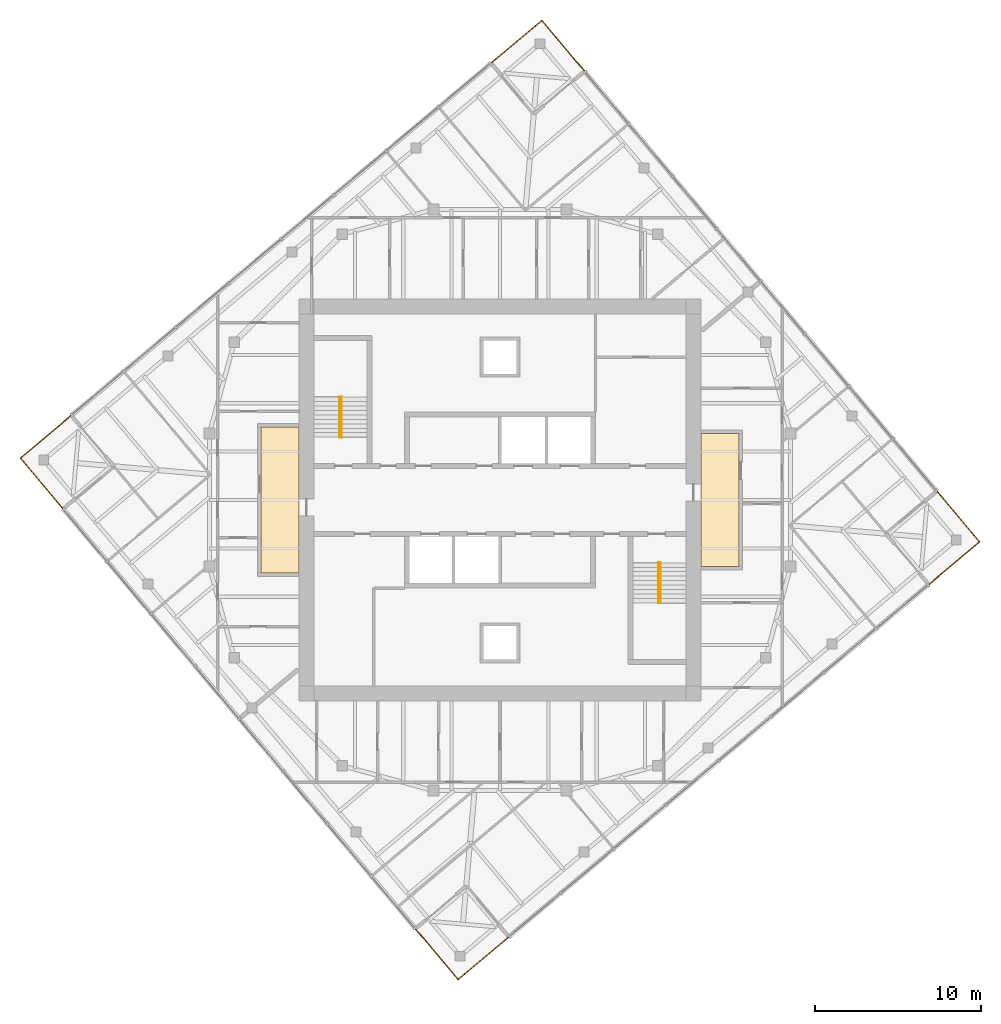
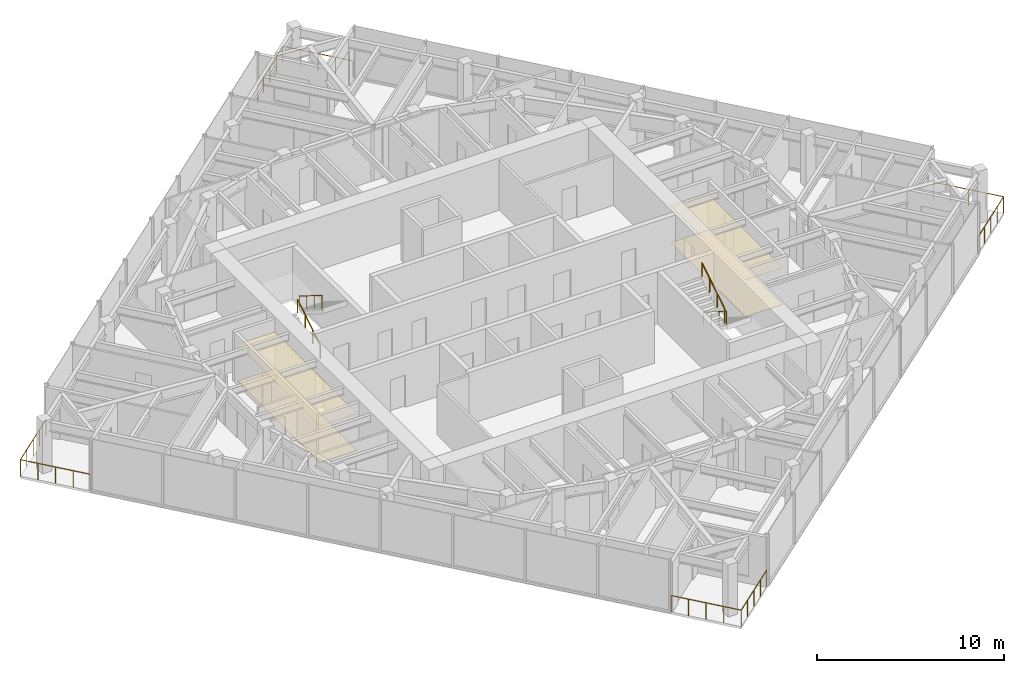
# One storey, part 11 of 11: 8 railings, 4 coverings, 2 elements without a shape of their own.
"""IFC4 building model written with IfcOpenShell, lengths in metres."""

from ifc_helpers import new_model, si_unit, direction, frame, origin, origin_2d, place, context, subcontext, project, spatial, polyline, circle, outline, extrude, material, layer, layer_set, type_object, element, aggregate, save


model = new_model("IFC4")

# Units and contexts
model_context = context("Model", 3, precision=1e-05, world=origin(), true_north=direction((0.0, 1.0)))
body_context = subcontext(model_context, "Body", "Model", "MODEL_VIEW")
ifc_project = project(units=[si_unit("LENGTHUNIT", "METRE"), si_unit("AREAUNIT", "SQUARE_METRE"), si_unit("VOLUMEUNIT", "CUBIC_METRE"), si_unit("PLANEANGLEUNIT", "RADIAN"), si_unit("MASSUNIT", "GRAM", prefix="KILO")], contexts=[model_context])

# Site, building, storey
site_placement = place(None, origin())
site = spatial("IfcSite", under=ifc_project, at=site_placement, CompositionType="ELEMENT")
building_placement = place(site_placement, origin())
building = spatial("IfcBuilding", under=site, at=building_placement, Name="Torsade Residences", CompositionType="ELEMENT")
storey_placement = place(building_placement, frame((0.0, 0.0, 276.0)))
storey = spatial("IfcBuildingStorey", under=building, at=storey_placement, Name="L76", CompositionType="ELEMENT", Elevation=276.0)

# Coverings
ifc_material_1 = material(Name="Nylon carpet tile on underlay", Category="textile")
ifc_layer_1 = layer(ifc_material_1, 0.010009765625)
ifc_layer_set_1 = layer_set([ifc_layer_1], Name="Nylon carpet tile on underlay")
covering_type_1 = type_object("IfcCoveringType", Name="CORRIDOR CARPET TILE 10", PredefinedType="FLOORING", material=ifc_layer_set_1)
covering_1_placement = place(storey_placement, origin())
element("IfcCovering", 1, at=covering_1_placement, inside=storey, type_object=covering_type_1, Name="Corridor carpet L76", PredefinedType="FLOORING", context=body_context, shape_type="SweptSolid", body=[
    extrude(outline(polyline([(54.39990234375, 26.0), (54.39990234375, 34.0), (52.10009765625, 34.0), (52.10009765625, 26.0), (54.39990234375, 26.0)])), origin(), (0.0, 0.0, 1.0), 0.010009765625),
])
covering_2_placement = place(storey_placement, origin())
element("IfcCovering", 2, at=covering_2_placement, inside=storey, type_object=covering_type_1, Name="Corridor carpet west L76", PredefinedType="FLOORING", context=body_context, shape_type="SweptSolid", body=[
    extrude(outline(polyline([(27.89990234375, 25.60009765625), (27.89990234375, 34.39990234375), (25.60009765625, 34.39990234375), (25.60009765625, 25.60009765625), (27.89990234375, 25.60009765625)])), origin(), (0.0, 0.0, 1.0), 0.010009765625),
])
ifc_material_2 = material(Name="Plasterboard on suspended steel grid", Category="steel")
ifc_layer_2 = layer(ifc_material_2, 0.012939453125)
ifc_layer_set_2 = layer_set([ifc_layer_2], Name="Plasterboard on suspended steel grid")
covering_type_2 = type_object("IfcCoveringType", Name="CORRIDOR SUSPENDED CEILING 13", PredefinedType="CEILING", material=ifc_layer_set_2)
covering_3_placement = place(storey_placement, frame((0.0, 0.0, 2.39990234375)))
element("IfcCovering", 3, at=covering_3_placement, inside=storey, type_object=covering_type_2, Name="Corridor ceiling L76", PredefinedType="CEILING", context=body_context, shape_type="SweptSolid", body=[
    extrude(outline(polyline([(54.39990234375, 26.0), (54.39990234375, 34.0), (52.10009765625, 34.0), (52.10009765625, 26.0), (54.39990234375, 26.0)])), origin(), (0.0, 0.0, 1.0), 0.01318359375),
])
covering_4_placement = place(storey_placement, frame((0.0, 0.0, 2.39990234375)))
element("IfcCovering", 4, at=covering_4_placement, inside=storey, type_object=covering_type_2, Name="Corridor ceiling west L76", PredefinedType="CEILING", context=body_context, shape_type="SweptSolid", body=[
    extrude(outline(polyline([(27.89990234375, 25.60009765625), (27.89990234375, 34.39990234375), (25.60009765625, 34.39990234375), (25.60009765625, 25.60009765625), (27.89990234375, 25.60009765625)])), origin(), (0.0, 0.0, 1.0), 0.01318359375),
])

# Stair, railings
ifc_material_3 = material(Name="Precast concrete 40 MPa", Category="concrete")
stair_type = type_object("IfcStairType", Name="HALF-TURN FIRE STAIR 1500x3400", PredefinedType="HALF_TURN_STAIR", material=ifc_material_3)
stair_1_placement = place(storey_placement, origin())
stair_1 = element("IfcStair", 5, at=stair_1_placement, inside=storey, type_object=stair_type, Name="Stair ST1 L76", PredefinedType="HALF_TURN_STAIR")
ifc_material_4 = material(Name="Steel handrail", Category="steel")
railing_type_1 = type_object("IfcRailingType", Name="STAIR HANDRAIL 900", PredefinedType="HANDRAIL", material=ifc_material_4)
railing_1_placement = place(storey_placement, frame((30.35009765625, 33.780029296875, 0.169921875)))
railing_1 = element("IfcRailing", 6, at=railing_1_placement, type_object=railing_type_1, Name="Handrail ST1 flight 1 L76", PredefinedType="HANDRAIL", context=body_context, shape_type="SweptSolid", body=[
    extrude(circle(Radius=0.02392578125, at=origin_2d()), frame((0.0, 0.0, 0.8759765625), z_axis=(0.0, 0.846221481393, 0.532831309544), x_axis=(-1.0, 0.0, 0.0)), (0.0, 0.0, 1.0), 2.87158203125),
    extrude(circle(Radius=0.02099609375, at=origin_2d()), origin(), (0.0, 0.0, 1.0), 0.851806640625),
    extrude(circle(Radius=0.02099609375, at=origin_2d()), frame((0.0, 0.81005859375, 0.510009765625)), (0.0, 0.0, 1.0), 0.851806640625),
    extrude(circle(Radius=0.02099609375, at=origin_2d()), frame((0.0, 1.619873046875, 1.02001953125)), (0.0, 0.0, 1.0), 0.851806640625),
    extrude(circle(Radius=0.02099609375, at=origin_2d()), frame((0.0, 2.429931640625, 1.530029296875)), (0.0, 0.0, 1.0), 0.851806640625),
])
railing_2_placement = place(storey_placement, frame((30.449951171875, 36.2099609375, 1.8701171875)))
railing_2 = element("IfcRailing", 7, at=railing_2_placement, type_object=railing_type_1, Name="Handrail ST1 flight 2 L76", PredefinedType="HANDRAIL", context=body_context, shape_type="SweptSolid", body=[
    extrude(circle(Radius=0.02392578125, at=origin_2d()), frame((0.0, 0.0, 0.8759765625), z_axis=(0.0, -0.846259816676, 0.532770422113), x_axis=(1.0, 0.0, 0.0)), (0.0, 0.0, 1.0), 2.871337890625),
    extrude(circle(Radius=0.02099609375, at=origin_2d()), origin(), (0.0, 0.0, 1.0), 0.851806640625),
    extrude(circle(Radius=0.02099609375, at=origin_2d()), frame((0.0, -0.81005859375, 0.510009765625)), (0.0, 0.0, 1.0), 0.851806640625),
    extrude(circle(Radius=0.02099609375, at=origin_2d()), frame((0.0, -1.619873046875, 1.019775390625)), (0.0, 0.0, 1.0), 0.851806640625),
    extrude(circle(Radius=0.02099609375, at=origin_2d()), frame((0.0, -2.429931640625, 1.52978515625)), (0.0, 0.0, 1.0), 0.851806640625),
])
aggregate(stair_1, [railing_1, railing_2])

stair_2_placement = place(storey_placement, origin())
stair_2 = element("IfcStair", 8, at=stair_2_placement, inside=storey, type_object=stair_type, Name="Stair ST2 L76", PredefinedType="HALF_TURN_STAIR")
railing_3_placement = place(storey_placement, frame((49.64990234375, 26.219970703125, 0.169921875)))
railing_3 = element("IfcRailing", 9, at=railing_3_placement, type_object=railing_type_1, Name="Handrail ST2 flight 1 L76", PredefinedType="HANDRAIL", context=body_context, shape_type="SweptSolid", body=[
    extrude(circle(Radius=0.02392578125, at=origin_2d()), frame((0.0, 0.0, 0.8759765625), z_axis=(0.0, -0.846221481393, 0.532831309544), x_axis=(1.0, 0.0, 0.0)), (0.0, 0.0, 1.0), 2.87158203125),
    extrude(circle(Radius=0.02099609375, at=origin_2d()), origin(), (0.0, 0.0, 1.0), 0.851806640625),
    extrude(circle(Radius=0.02099609375, at=origin_2d()), frame((0.0, -0.81005859375, 0.510009765625)), (0.0, 0.0, 1.0), 0.851806640625),
    extrude(circle(Radius=0.02099609375, at=origin_2d()), frame((0.0, -1.619873046875, 1.02001953125)), (0.0, 0.0, 1.0), 0.851806640625),
    extrude(circle(Radius=0.02099609375, at=origin_2d()), frame((0.0, -2.429931640625, 1.530029296875)), (0.0, 0.0, 1.0), 0.851806640625),
])
railing_4_placement = place(storey_placement, frame((49.550048828125, 23.7900390625, 1.8701171875)))
railing_4 = element("IfcRailing", 10, at=railing_4_placement, type_object=railing_type_1, Name="Handrail ST2 flight 2 L76", PredefinedType="HANDRAIL", context=body_context, shape_type="SweptSolid", body=[
    extrude(circle(Radius=0.02392578125, at=origin_2d()), frame((0.0, 0.0, 0.8759765625), z_axis=(0.0, 0.846259816676, 0.532770422113), x_axis=(-1.0, 0.0, 0.0)), (0.0, 0.0, 1.0), 2.871337890625),
    extrude(circle(Radius=0.02099609375, at=origin_2d()), origin(), (0.0, 0.0, 1.0), 0.851806640625),
    extrude(circle(Radius=0.02099609375, at=origin_2d()), frame((0.0, 0.81005859375, 0.510009765625)), (0.0, 0.0, 1.0), 0.851806640625),
    extrude(circle(Radius=0.02099609375, at=origin_2d()), frame((0.0, 1.619873046875, 1.019775390625)), (0.0, 0.0, 1.0), 0.851806640625),
    extrude(circle(Radius=0.02099609375, at=origin_2d()), frame((0.0, 2.429931640625, 1.52978515625)), (0.0, 0.0, 1.0), 0.851806640625),
])
aggregate(stair_2, [railing_3, railing_4])

# Railings
ifc_material_5 = material(Name="Laminated glass balustrade", Category="glass")
railing_type_2 = type_object("IfcRailingType", Name="TERRACE GLASS BALUSTRADE 1100", PredefinedType="BALUSTRADE", material=ifc_material_5)
railing_5_placement = place(storey_placement, frame((65.81689453125, 24.902099609375, 0.0)))
element("IfcRailing", 11, at=railing_5_placement, inside=storey, type_object=railing_type_2, Name="Terrace balustrade SE L76", PredefinedType="BALUSTRADE", context=body_context, shape_type="SweptSolid", body=[
    extrude(circle(Radius=0.02392578125, at=origin_2d()), frame((0.0, 0.0, 1.076171875), z_axis=(0.766060656284, 0.642768287094, 0.0), x_axis=(-0.642768287094, 0.766060656284, 0.0)), (0.0, 0.0, 1.0), 4.0),
    extrude(circle(Radius=0.02392578125, at=origin_2d()), frame((3.064208984375, 2.571044921875, 1.076171875), z_axis=(-0.642804103796, 0.766030602615, 0.0), x_axis=(-0.766030602615, -0.642804103796, 0.0)), (0.0, 0.0, 1.0), 4.0),
    extrude(circle(Radius=0.02099609375, at=origin_2d()), origin(), (0.0, 0.0, 1.0), 1.052001953125),
    extrude(circle(Radius=0.02099609375, at=origin_2d()), frame((0.76611328125, 0.642822265625, 0.0)), (0.0, 0.0, 1.0), 1.052001953125),
    extrude(circle(Radius=0.02099609375, at=origin_2d()), frame((1.5322265625, 1.28564453125, 0.0)), (0.0, 0.0, 1.0), 1.052001953125),
    extrude(circle(Radius=0.02099609375, at=origin_2d()), frame((2.298095703125, 1.92822265625, 0.0)), (0.0, 0.0, 1.0), 1.052001953125),
    extrude(circle(Radius=0.02099609375, at=origin_2d()), frame((3.064208984375, 2.571044921875, 0.0)), (0.0, 0.0, 1.0), 1.052001953125),
    extrude(circle(Radius=0.02099609375, at=origin_2d()), frame((2.42138671875, 3.337158203125, 0.0)), (0.0, 0.0, 1.0), 1.052001953125),
    extrude(circle(Radius=0.02099609375, at=origin_2d()), frame((1.778564453125, 4.10302734375, 0.0)), (0.0, 0.0, 1.0), 1.052001953125),
    extrude(circle(Radius=0.02099609375, at=origin_2d()), frame((1.1357421875, 4.869140625, 0.0)), (0.0, 0.0, 1.0), 1.052001953125),
    extrude(circle(Radius=0.02099609375, at=origin_2d()), frame((0.492919921875, 5.63525390625, 0.0)), (0.0, 0.0, 1.0), 1.052001953125),
])
railing_6_placement = place(storey_placement, frame((45.097900390625, 55.81689453125, 0.0)))
element("IfcRailing", 12, at=railing_6_placement, inside=storey, type_object=railing_type_2, Name="Terrace balustrade NE L76", PredefinedType="BALUSTRADE", context=body_context, shape_type="SweptSolid", body=[
    extrude(circle(Radius=0.02392578125, at=origin_2d()), frame((0.0, 0.0, 1.076171875), z_axis=(-0.642768287094, 0.766060656284, 0.0), x_axis=(-0.766060656284, -0.642768287094, 0.0)), (0.0, 0.0, 1.0), 4.0),
    extrude(circle(Radius=0.02392578125, at=origin_2d()), frame((-2.571044921875, 3.064208984375, 1.076171875), z_axis=(-0.766030602615, -0.642804103796, 0.0), x_axis=(0.642804103796, -0.766030602615, 0.0)), (0.0, 0.0, 1.0), 4.0),
    extrude(circle(Radius=0.02099609375, at=origin_2d()), origin(), (0.0, 0.0, 1.0), 1.052001953125),
    extrude(circle(Radius=0.02099609375, at=origin_2d()), frame((-0.642822265625, 0.76611328125, 0.0)), (0.0, 0.0, 1.0), 1.052001953125),
    extrude(circle(Radius=0.02099609375, at=origin_2d()), frame((-1.28564453125, 1.5322265625, 0.0)), (0.0, 0.0, 1.0), 1.052001953125),
    extrude(circle(Radius=0.02099609375, at=origin_2d()), frame((-1.92822265625, 2.298095703125, 0.0)), (0.0, 0.0, 1.0), 1.052001953125),
    extrude(circle(Radius=0.02099609375, at=origin_2d()), frame((-2.571044921875, 3.064208984375, 0.0)), (0.0, 0.0, 1.0), 1.052001953125),
    extrude(circle(Radius=0.02099609375, at=origin_2d()), frame((-3.337158203125, 2.42138671875, 0.0)), (0.0, 0.0, 1.0), 1.052001953125),
    extrude(circle(Radius=0.02099609375, at=origin_2d()), frame((-4.10302734375, 1.778564453125, 0.0)), (0.0, 0.0, 1.0), 1.052001953125),
    extrude(circle(Radius=0.02099609375, at=origin_2d()), frame((-4.869140625, 1.1357421875, 0.0)), (0.0, 0.0, 1.0), 1.052001953125),
    extrude(circle(Radius=0.02099609375, at=origin_2d()), frame((-5.63525390625, 0.492919921875, 0.0)), (0.0, 0.0, 1.0), 1.052001953125),
])
railing_7_placement = place(storey_placement, frame((14.18310546875, 35.097900390625, 0.0)))
element("IfcRailing", 13, at=railing_7_placement, inside=storey, type_object=railing_type_2, Name="Terrace balustrade NW L76", PredefinedType="BALUSTRADE", context=body_context, shape_type="SweptSolid", body=[
    extrude(circle(Radius=0.02392578125, at=origin_2d()), frame((0.0, 0.0, 1.076171875), z_axis=(-0.766060656284, -0.642768287094, 0.0), x_axis=(0.642768287094, -0.766060656284, 0.0)), (0.0, 0.0, 1.0), 4.0),
    extrude(circle(Radius=0.02392578125, at=origin_2d()), frame((-3.064208984375, -2.571044921875, 1.076171875), z_axis=(0.642804103796, -0.766030602615, 0.0), x_axis=(0.766030602615, 0.642804103796, 0.0)), (0.0, 0.0, 1.0), 4.0),
    extrude(circle(Radius=0.02099609375, at=origin_2d()), origin(), (0.0, 0.0, 1.0), 1.052001953125),
    extrude(circle(Radius=0.02099609375, at=origin_2d()), frame((-0.76611328125, -0.642822265625, 0.0)), (0.0, 0.0, 1.0), 1.052001953125),
    extrude(circle(Radius=0.02099609375, at=origin_2d()), frame((-1.5322265625, -1.28564453125, 0.0)), (0.0, 0.0, 1.0), 1.052001953125),
    extrude(circle(Radius=0.02099609375, at=origin_2d()), frame((-2.298095703125, -1.92822265625, 0.0)), (0.0, 0.0, 1.0), 1.052001953125),
    extrude(circle(Radius=0.02099609375, at=origin_2d()), frame((-3.064208984375, -2.571044921875, 0.0)), (0.0, 0.0, 1.0), 1.052001953125),
    extrude(circle(Radius=0.02099609375, at=origin_2d()), frame((-2.42138671875, -3.337158203125, 0.0)), (0.0, 0.0, 1.0), 1.052001953125),
    extrude(circle(Radius=0.02099609375, at=origin_2d()), frame((-1.778564453125, -4.10302734375, 0.0)), (0.0, 0.0, 1.0), 1.052001953125),
    extrude(circle(Radius=0.02099609375, at=origin_2d()), frame((-1.1357421875, -4.869140625, 0.0)), (0.0, 0.0, 1.0), 1.052001953125),
    extrude(circle(Radius=0.02099609375, at=origin_2d()), frame((-0.492919921875, -5.63525390625, 0.0)), (0.0, 0.0, 1.0), 1.052001953125),
])
railing_8_placement = place(storey_placement, frame((34.902099609375, 4.18310546875, 0.0)))
element("IfcRailing", 14, at=railing_8_placement, inside=storey, type_object=railing_type_2, Name="Terrace balustrade SW L76", PredefinedType="BALUSTRADE", context=body_context, shape_type="SweptSolid", body=[
    extrude(circle(Radius=0.02392578125, at=origin_2d()), frame((0.0, 0.0, 1.076171875), z_axis=(0.642768287094, -0.766060656284, 0.0), x_axis=(0.766060656284, 0.642768287094, 0.0)), (0.0, 0.0, 1.0), 4.0),
    extrude(circle(Radius=0.02392578125, at=origin_2d()), frame((2.571044921875, -3.064208984375, 1.076171875), z_axis=(0.766030602615, 0.642804103796, 0.0), x_axis=(-0.642804103796, 0.766030602615, 0.0)), (0.0, 0.0, 1.0), 4.0),
    extrude(circle(Radius=0.02099609375, at=origin_2d()), origin(), (0.0, 0.0, 1.0), 1.052001953125),
    extrude(circle(Radius=0.02099609375, at=origin_2d()), frame((0.642822265625, -0.76611328125, 0.0)), (0.0, 0.0, 1.0), 1.052001953125),
    extrude(circle(Radius=0.02099609375, at=origin_2d()), frame((1.28564453125, -1.5322265625, 0.0)), (0.0, 0.0, 1.0), 1.052001953125),
    extrude(circle(Radius=0.02099609375, at=origin_2d()), frame((1.92822265625, -2.298095703125, 0.0)), (0.0, 0.0, 1.0), 1.052001953125),
    extrude(circle(Radius=0.02099609375, at=origin_2d()), frame((2.571044921875, -3.064208984375, 0.0)), (0.0, 0.0, 1.0), 1.052001953125),
    extrude(circle(Radius=0.02099609375, at=origin_2d()), frame((3.337158203125, -2.42138671875, 0.0)), (0.0, 0.0, 1.0), 1.052001953125),
    extrude(circle(Radius=0.02099609375, at=origin_2d()), frame((4.10302734375, -1.778564453125, 0.0)), (0.0, 0.0, 1.0), 1.052001953125),
    extrude(circle(Radius=0.02099609375, at=origin_2d()), frame((4.869140625, -1.1357421875, 0.0)), (0.0, 0.0, 1.0), 1.052001953125),
    extrude(circle(Radius=0.02099609375, at=origin_2d()), frame((5.63525390625, -0.492919921875, 0.0)), (0.0, 0.0, 1.0), 1.052001953125),
])

save(model, "model.ifc")
